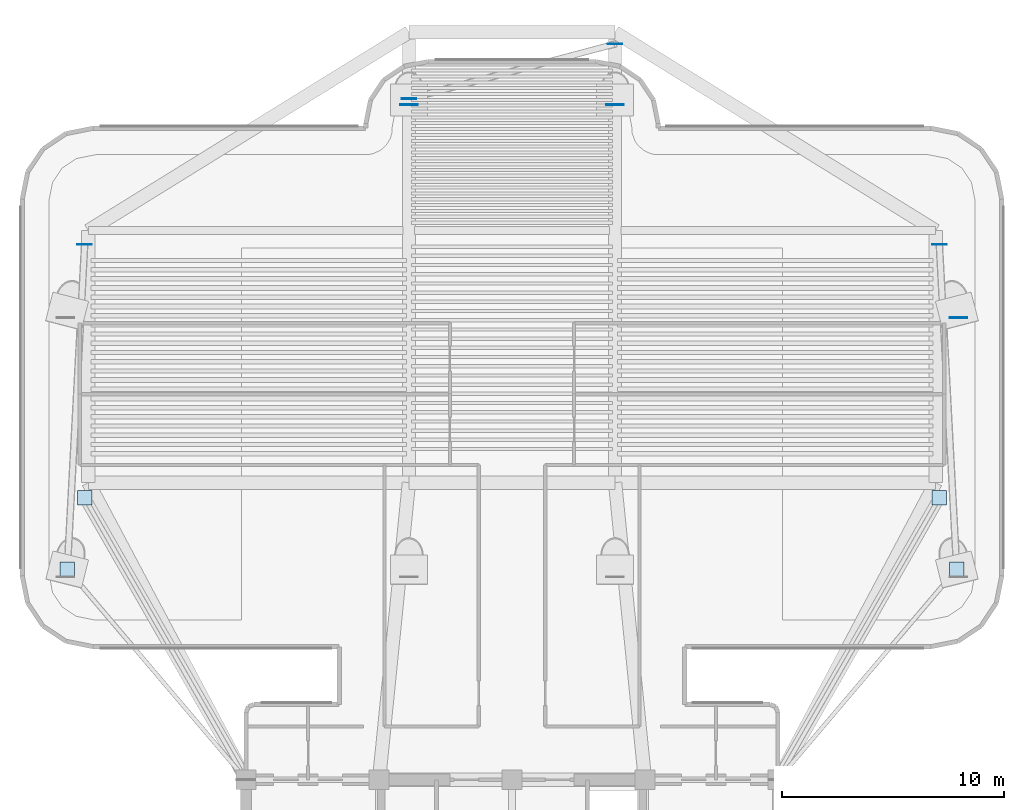
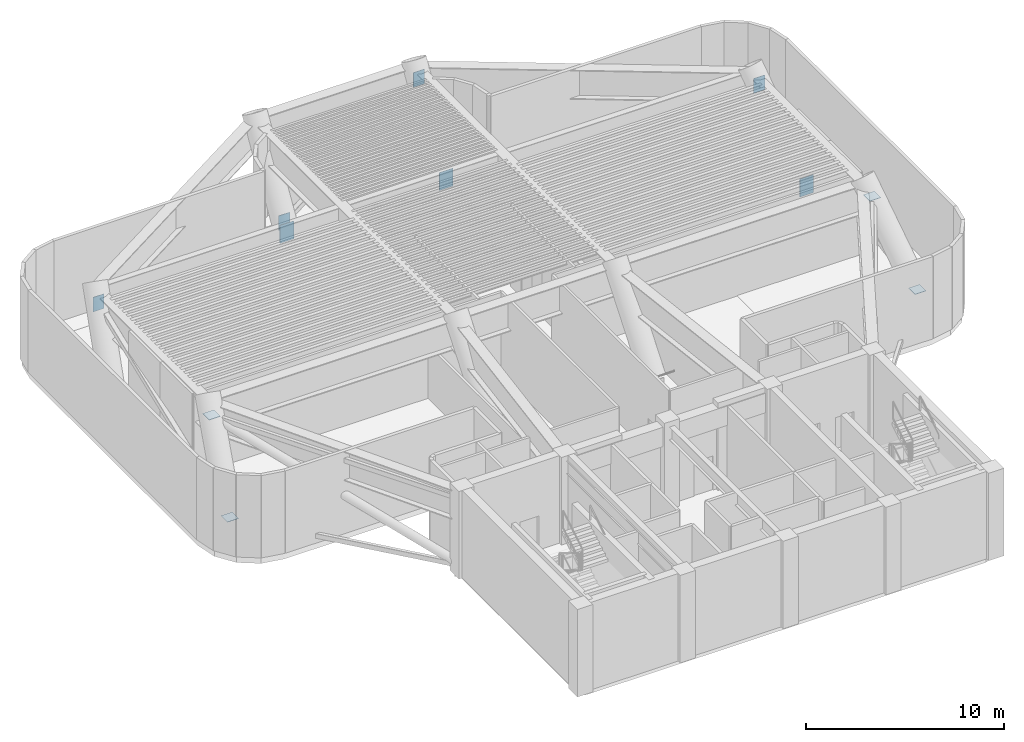
# One storey, part 3 of 10: 11 plates.
"""IFC4 building model written with IfcOpenShell, lengths in metres."""

from ifc_helpers import new_model, si_unit, direction, frame, origin, origin_2d, place, context, subcontext, project, spatial, rectangle, extrude, source, transform, mapped, material, type_object, element, save


model = new_model("IFC4")

# Units and contexts
model_context = context("Model", 3, precision=1e-05, world=origin(), true_north=direction((0.0, 1.0)))
body_context = subcontext(model_context, "Body", "Model", "MODEL_VIEW")
ifc_project = project(units=[si_unit("LENGTHUNIT", "METRE"), si_unit("AREAUNIT", "SQUARE_METRE"), si_unit("VOLUMEUNIT", "CUBIC_METRE"), si_unit("PLANEANGLEUNIT", "RADIAN"), si_unit("MASSUNIT", "GRAM", prefix="KILO")], contexts=[model_context])

# Site, building, storey
site_placement = place(None, origin())
site = spatial("IfcSite", under=ifc_project, at=site_placement, CompositionType="ELEMENT")
building_placement = place(site_placement, origin())
building = spatial("IfcBuilding", under=site, at=building_placement, Name="Brelvock Crest Care Tower", CompositionType="ELEMENT")
storey_placement = place(building_placement, frame((0.0, 0.0, 146.52001953125)))
storey = spatial("IfcBuildingStorey", under=building, at=storey_placement, Name="L37", CompositionType="ELEMENT", Elevation=146.52001953125)

# Plates
ifc_material = material(Name="Steel Grade 350", Category="steel")
plate_type_1 = type_object("IfcPlateType", Name="PLT-EC2", PredefinedType="USERDEFINED", material=ifc_material)
shared_shape_1 = source(origin(), body_context, "Body", "SweptSolid", [
    extrude(rectangle(XDim=0.64990234375, YDim=0.64990234375, at=origin_2d()), origin(), (0.0, 0.0, 1.0), 0.02490234375),
])
for number, where, z_axis, x_axis, name in (
    (1, (15.936279296875, 27.50439453125, 0.4375), (0.0, 0.0, 1.0), (1.0, 0.0, 0.0), "PLT-CAP-OT-L37-W1"),
    (2, (16.719482421875, 30.718994140625, 4.517578125), (0.0, 0.0, 1.0), (1.0, 0.0, 0.0), "PLT-CAP-OTT-L37-W1"),
    (3, (56.063720703125, 27.50439453125, 0.4375), (0.0, 0.0, 1.0), (1.0, 0.0, 0.0), "PLT-CAP-OT-L37-E1"),
    (4, (55.280517578125, 30.718994140625, 4.517578125), (0.0, 0.0, 1.0), (1.0, 0.0, 0.0), "PLT-CAP-OTT-L37-E1"),
):
    element("IfcPlate", number, at=place(storey_placement, frame(where, z_axis=z_axis, x_axis=x_axis)), inside=storey, type_object=plate_type_1, Name=name, ObjectType="FLANGE_PLATE", PredefinedType="USERDEFINED", context=body_context, shape_type="MappedRepresentation", body=[
        mapped(shared_shape_1, transform((0.0, 0.0, 0.0), x_axis=(1.0, 0.0, 0.0), y_axis=(0.0, 1.0, 0.0), z_axis=(0.0, 0.0, 1.0), scale=1.0)),
    ])
plate_type_2 = type_object("IfcPlateType", Name="PLT-BN1", PredefinedType="USERDEFINED", material=ifc_material)
shared_shape_2 = source(origin(), body_context, "Body", "SweptSolid", [
    extrude(rectangle(XDim=0.64990234375, YDim=0.028076171875, at=origin_2d()), origin(), (0.0, 0.0, 1.0), 0.89990234375),
])
for number, where, z_axis, x_axis, name in (
    (5, (16.719482421875, 42.14453125, 4.080078125), (0.0, 0.0, 1.0), (1.0, 0.0, 0.0), "PLT-BT-L37-BW"),
    (6, (55.280517578125, 42.14453125, 4.080078125), (0.0, 0.0, 1.0), (1.0, 0.0, 0.0), "PLT-BT-L37-BE"),
    (7, (40.64990234375, 51.1953125, 4.080078125), (0.0, 0.0, 1.0), (1.0, 0.0, 0.0), "PLT-BT-L37-BN"),
    (8, (31.35009765625, 48.72265625, 0.0), (0.0, 0.0, 1.0), (1.0, 0.0, 0.0), "PLT-BTC1-L37-BN"),
):
    element("IfcPlate", number, at=place(storey_placement, frame(where, z_axis=z_axis, x_axis=x_axis)), inside=storey, type_object=plate_type_2, Name=name, ObjectType="GUSSET", PredefinedType="USERDEFINED", context=body_context, shape_type="MappedRepresentation", body=[
        mapped(shared_shape_2, transform((0.0, 0.0, 0.0), x_axis=(1.0, 0.0, 0.0), y_axis=(0.0, 1.0, 0.0), z_axis=(0.0, 0.0, 1.0), scale=1.0)),
    ])
plate_type_3 = type_object("IfcPlateType", Name="PLT-KN2", PredefinedType="USERDEFINED", material=ifc_material)
shared_shape_3 = source(origin(), body_context, "Body", "SweptSolid", [
    extrude(rectangle(XDim=0.800048828125, YDim=0.035888671875, at=origin_2d()), origin(), (0.0, 0.0, 1.0), 1.10009765625),
])
for number, where, z_axis, x_axis, name in (
    (9, (56.14990234375, 38.85009765625, -0.60009765625), (0.0, 0.0, 1.0), (1.0, 0.0, 0.0), "PLT-KINK-L37-04"),
    (10, (31.35009765625, 48.449951171875, -0.60009765625), (0.0, 0.0, 1.0), (1.0, 0.0, 0.0), "PLT-KINK-L37-07"),
    (11, (40.64990234375, 48.449951171875, -0.60009765625), (0.0, 0.0, 1.0), (1.0, 0.0, 0.0), "PLT-KINK-L37-08"),
):
    element("IfcPlate", number, at=place(storey_placement, frame(where, z_axis=z_axis, x_axis=x_axis)), inside=storey, type_object=plate_type_3, Name=name, ObjectType="GUSSET", PredefinedType="USERDEFINED", context=body_context, shape_type="MappedRepresentation", body=[
        mapped(shared_shape_3, transform((0.0, 0.0, 0.0), x_axis=(1.0, 0.0, 0.0), y_axis=(0.0, 1.0, 0.0), z_axis=(0.0, 0.0, 1.0), scale=1.0)),
    ])

save(model, "model.ifc")
